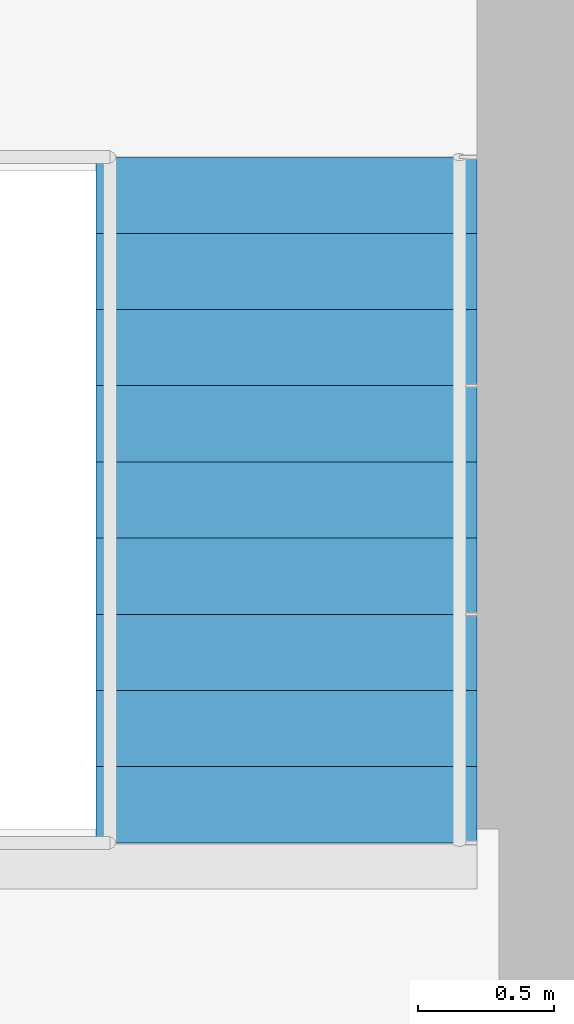
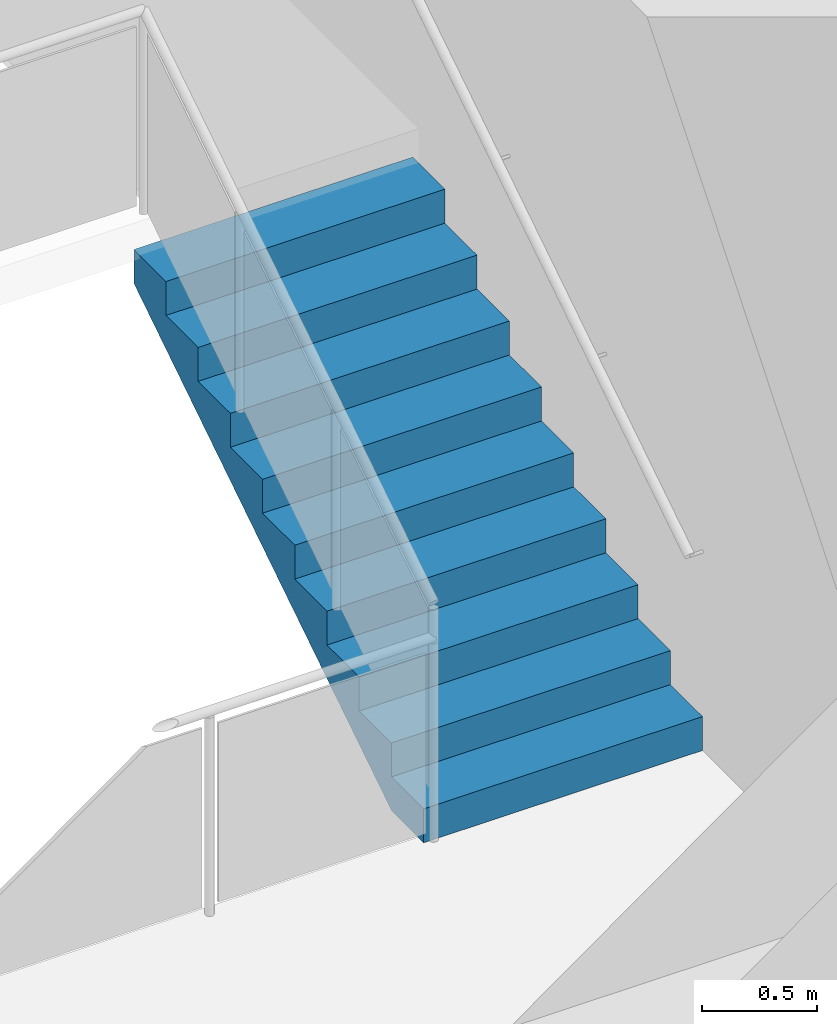
# One storey, part 13 of 15: 1 stair flight, 1 element without a shape of its own.
"""IFC4 building model written with IfcOpenShell, lengths in metres."""

import ifcopenshell
import ifcopenshell.guid

model = None  # the IFC model being written
_history = None  # IfcOwnerHistory: only IFC2X3 demands one
_inside = {}  # id of a spatial element -> (the spatial element, [elements in it])
_under = {}  # id of a project, library or spatial element -> (it, [spatial elements below it])
_declared = {}  # id of a project -> (the project, [libraries it declares])
_typed = {}  # id of a type object -> (the type object, [elements of that type])
_made_of = {}  # id of a material, layer set ... -> (it, [elements and type objects made of it])


def new_model(schema):
    """Start an empty IFC model of exactly this schema.

    Asked for "IFC4X3", IfcOpenShell would pick the latest addendum, in which some entities
    have other attributes; the version numbers below select the first issue.
    IFC2X3 requires an IfcOwnerHistory on every rooted entity: one is made here for all.
    """
    global model, _history
    if schema == "IFC4X3":
        model = ifcopenshell.file(schema_version=(4, 3, 0, 0))
    else:
        model = ifcopenshell.file(schema=schema)
    _inside.clear()
    _under.clear()
    _declared.clear()
    _typed.clear()
    _made_of.clear()
    _history = None
    if model.schema == "IFC2X3":
        org = make("IfcOrganization", Name="unknown")
        user = make(
            "IfcPersonAndOrganization",
            ThePerson=make("IfcPerson", FamilyName="unknown"),
            TheOrganization=org,
        )
        app = make(
            "IfcApplication",
            ApplicationDeveloper=org,
            Version="unknown",
            ApplicationFullName="unknown",
            ApplicationIdentifier="unknown",
        )
        _history = make(
            "IfcOwnerHistory",
            OwningUser=user,
            OwningApplication=app,
            ChangeAction="ADDED",
            CreationDate=0,
        )
    return model


def make(cls, **values):
    """One entity of the class cls with the attributes given. An attribute that is None is left unset."""
    return model.create_entity(
        cls, **{name: value for name, value in values.items() if value is not None}
    )


def rooted(cls, **values):
    """An entity with a GlobalId (a new one), such as an element, a storey or a relation."""
    return make(cls, GlobalId=ifcopenshell.guid.new(), OwnerHistory=_history, **values)


def si_unit(unit_type, name, prefix=None):
    """IfcSIUnit, for example si_unit("LENGTHUNIT", "METRE", prefix="MILLI")."""
    return make("IfcSIUnit", UnitType=unit_type, Prefix=prefix, Name=name)


def assignment(units):
    """IfcUnitAssignment: the units of a project."""
    return None if units is None else make("IfcUnitAssignment", Units=units)


def point(xyz):
    """IfcCartesianPoint."""
    return None if xyz is None else make("IfcCartesianPoint", Coordinates=xyz)


def direction(xyz):
    """IfcDirection."""
    return None if xyz is None else make("IfcDirection", DirectionRatios=xyz)


def frame(location, z_axis=None, x_axis=None):
    """IfcAxis2Placement3D, a coordinate frame: its origin and axes. An axis left out is left unset."""
    return make(
        "IfcAxis2Placement3D",
        Location=point(location),
        Axis=direction(z_axis),
        RefDirection=direction(x_axis),
    )


def origin():
    """The frame at (0, 0, 0) with its axes left unset."""
    return frame((0.0, 0.0, 0.0))


def place(relative_to, where):
    """IfcLocalPlacement: puts the frame where relative to a parent placement (None: the world)."""
    return make(
        "IfcLocalPlacement", PlacementRelTo=relative_to, RelativePlacement=where
    )


def context(
    kind, dimensions, precision=None, world=None, true_north=None, identifier=None
):
    """IfcGeometricRepresentationContext, for example the 3D "Model" context."""
    return make(
        "IfcGeometricRepresentationContext",
        ContextIdentifier=identifier,
        ContextType=kind,
        CoordinateSpaceDimension=dimensions,
        Precision=precision,
        WorldCoordinateSystem=world,
        TrueNorth=true_north,
    )


def subcontext(parent, identifier, kind, view, scale=None):
    """IfcGeometricRepresentationSubContext, for example "Body" below "Model"."""
    return make(
        "IfcGeometricRepresentationSubContext",
        ContextIdentifier=identifier,
        ContextType=kind,
        ParentContext=parent,
        TargetScale=scale,
        TargetView=view,
    )


def project(units=None, contexts=None):
    """IfcProject with its units and contexts."""
    return rooted(
        "IfcProject",
        Name="project",
        RepresentationContexts=contexts,
        UnitsInContext=assignment(units),
    )


def spatial(cls, under=None, at=None, **own):
    """A site, building, storey or space (cls), placed at a placement, below another one or the project."""
    s = rooted(cls, ObjectPlacement=at, **own)
    if under is not None:
        _under.setdefault(under.id(), (under, []))[1].append(s)
    return s


def polyline(points):
    """IfcPolyline through the points."""
    return make("IfcPolyline", Points=[point(p) for p in points])


def outline(outer, holes=None, kind="AREA"):
    """IfcArbitraryClosedProfileDef: a profile drawn as a closed curve; with holes, ...WithVoids."""
    if holes is None:
        return make("IfcArbitraryClosedProfileDef", ProfileType=kind, OuterCurve=outer)
    return make(
        "IfcArbitraryProfileDefWithVoids",
        ProfileType=kind,
        OuterCurve=outer,
        InnerCurves=holes,
    )


def extrude(swept, where, along, depth):
    """IfcExtrudedAreaSolid: the profile swept, set in the frame where, extruded along a direction by depth."""
    return make(
        "IfcExtrudedAreaSolid",
        SweptArea=swept,
        Position=where,
        ExtrudedDirection=direction(along),
        Depth=depth,
    )


def shape(context_of_items, identifier, shape_type, items):
    """IfcShapeRepresentation: the items that make up one representation, for example the "Body"."""
    return make(
        "IfcShapeRepresentation",
        ContextOfItems=context_of_items,
        RepresentationIdentifier=identifier,
        RepresentationType=shape_type,
        Items=items,
    )


def material(Name=None, Category=None):
    """IfcMaterial."""
    return make("IfcMaterial", Name=Name, Category=Category)


def made_of(thing, what):
    """Note that an element or type object is made of a material, layer set ...; save() writes the relation."""
    if what is not None:
        _made_of.setdefault(what.id(), (what, []))[1].append(thing)
    return thing


def type_object(cls, material=None, **own):
    """A type object (cls), such as IfcWallType, which elements share."""
    return made_of(rooted(cls, **own), material)


def element(
    cls,
    number,
    at=None,
    inside=None,
    cuts=None,
    type_object=None,
    material=None,
    context=None,
    identifier="Body",
    shape_type=None,
    held_by="IfcProductDefinitionShape",
    body=None,
    shapes=None,
    **own,
):
    """One element of the class cls, such as IfcWall. Its Tag is "e" and its number.

    at: its placement. inside: the storey or other place that contains it. cuts: it is an
    opening in that element (IfcRelVoidsElement). A single representation is given by context,
    identifier, shape_type and body (its items); several are given by shapes. held_by: the class
    of the entity that holds the representations. save() writes the other relations.
    """
    e = rooted(cls, Tag="e%d" % number, ObjectPlacement=at, **own)
    if body is not None:
        shapes = [shape(context, identifier, shape_type, body)]
    if shapes is not None:
        e.Representation = make(held_by, Representations=shapes)
    if inside is not None:
        _inside.setdefault(inside.id(), (inside, []))[1].append(e)
    if cuts is not None:
        rooted(
            "IfcRelVoidsElement", RelatingBuildingElement=cuts, RelatedOpeningElement=e
        )
    if type_object is not None:
        _typed.setdefault(type_object.id(), (type_object, []))[1].append(e)
    return made_of(e, material)


def aggregate(whole, parts):
    """IfcRelAggregates: a whole, such as a stair, and the parts it consists of."""
    return rooted("IfcRelAggregates", RelatingObject=whole, RelatedObjects=parts)


def save(model, path):
    """Write the relations noted so far, then the file.

    IfcRelAggregates (storeys below a building ...), IfcRelContainedInSpatialStructure (elements
    in a storey), IfcRelDefinesByType, IfcRelAssociatesMaterial and IfcRelDeclares: one each for
    every whole, place, type object, material and project.
    """
    for whole, parts in _under.values():
        aggregate(whole, parts)
    for where, things in _inside.values():
        rooted(
            "IfcRelContainedInSpatialStructure",
            RelatedElements=things,
            RelatingStructure=where,
        )
    for kind, things in _typed.values():
        rooted("IfcRelDefinesByType", RelatedObjects=things, RelatingType=kind)
    for what, things in _made_of.values():
        rooted("IfcRelAssociatesMaterial", RelatedObjects=things, RelatingMaterial=what)
    for by, libraries in _declared.values():
        rooted("IfcRelDeclares", RelatingContext=by, RelatedDefinitions=libraries)
    model.write(path)


model = new_model("IFC4")

# Units and contexts
model_context = context("Model", 3, precision=1e-05, world=origin(), true_north=direction((0.0, 1.0)))
body_context = subcontext(model_context, "Body", "Model", "MODEL_VIEW")
ifc_project = project(units=[si_unit("LENGTHUNIT", "METRE"), si_unit("AREAUNIT", "SQUARE_METRE"), si_unit("VOLUMEUNIT", "CUBIC_METRE"), si_unit("PLANEANGLEUNIT", "RADIAN"), si_unit("MASSUNIT", "GRAM", prefix="KILO")], contexts=[model_context])

# Site, building, storey
site_placement = place(None, origin())
site = spatial("IfcSite", under=ifc_project, at=site_placement, CompositionType="ELEMENT")
building_placement = place(site_placement, origin())
building = spatial("IfcBuilding", under=site, at=building_placement, Name="Torre Alcanfor", CompositionType="ELEMENT")
storey_placement = place(building_placement, frame((0.0, 0.0, 116.10009765625)))
storey = spatial("IfcBuildingStorey", under=building, at=storey_placement, Name="L29", CompositionType="ELEMENT", Elevation=116.10009765625)

# Stair, stair flight
ifc_material_1 = material(Name="Concrete f'c 35 MPa", Category="concrete")
stair_type = type_object("IfcStairType", Name="Exit stair S2 1400 wide", PredefinedType="HALF_TURN_STAIR", material=ifc_material_1)
stair_placement = place(storey_placement, origin())
stair = element("IfcStair", 1, at=stair_placement, inside=storey, type_object=stair_type, Name="Stair S2 L29 to L30", PredefinedType="HALF_TURN_STAIR")
ifc_material_2 = material(Name="Concrete f'c 35 MPa", Category="concrete")
stair_flight_type = type_object("IfcStairFlightType", Name="Stair flight 1400", PredefinedType="STRAIGHT", material=ifc_material_2)
stair_flight_placement = place(storey_placement, frame((36.64990234375, 31.0, 0.0), z_axis=(0.0, 0.0, 1.0), x_axis=(0.0, 1.0, 0.0)))
stair_flight = element("IfcStairFlight", 2, at=stair_flight_placement, type_object=stair_flight_type, Name="S2 flight 1", NumberOfRisers=10, NumberOfTreads=9, PredefinedType="STRAIGHT", RiserHeight=0.18, TreadLength=0.28, context=body_context, shape_type="SweptSolid", body=[
    extrude(outline(polyline([(0.0, 0.0), (0.0, 0.179931640625), (0.280029296875, 0.179931640625), (0.280029296875, 0.360107421875), (0.56005859375, 0.360107421875), (0.56005859375, 0.5400390625), (0.840087890625, 0.5400390625), (0.840087890625, 0.719970703125), (1.1201171875, 0.719970703125), (1.1201171875, 0.89990234375), (1.39990234375, 0.89990234375), (1.39990234375, 1.080078125), (1.679931640625, 1.080078125), (1.679931640625, 1.260009765625), (1.9599609375, 1.260009765625), (1.9599609375, 1.43994140625), (2.239990234375, 1.43994140625), (2.239990234375, 1.6201171875), (2.52001953125, 1.6201171875), (2.52001953125, 1.800048828125), (2.52001953125, 1.44189453125), (0.277099609375, 0.0), (0.0, 0.0)])), frame((0.0, 0.699951171875, 0.0), z_axis=(0.0, -1.0, 0.0), x_axis=(1.0, 0.0, 0.0)), (0.0, 0.0, 1.0), 1.39990234375),
])
aggregate(stair, [stair_flight])

save(model, "model.ifc")
